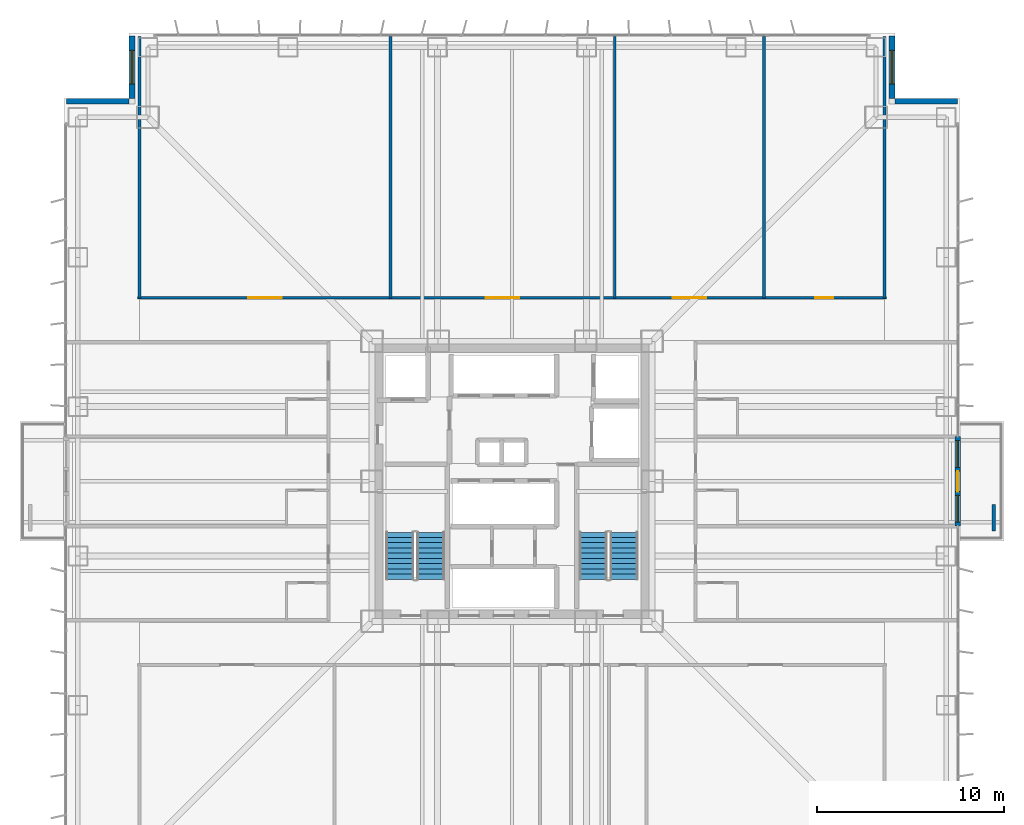
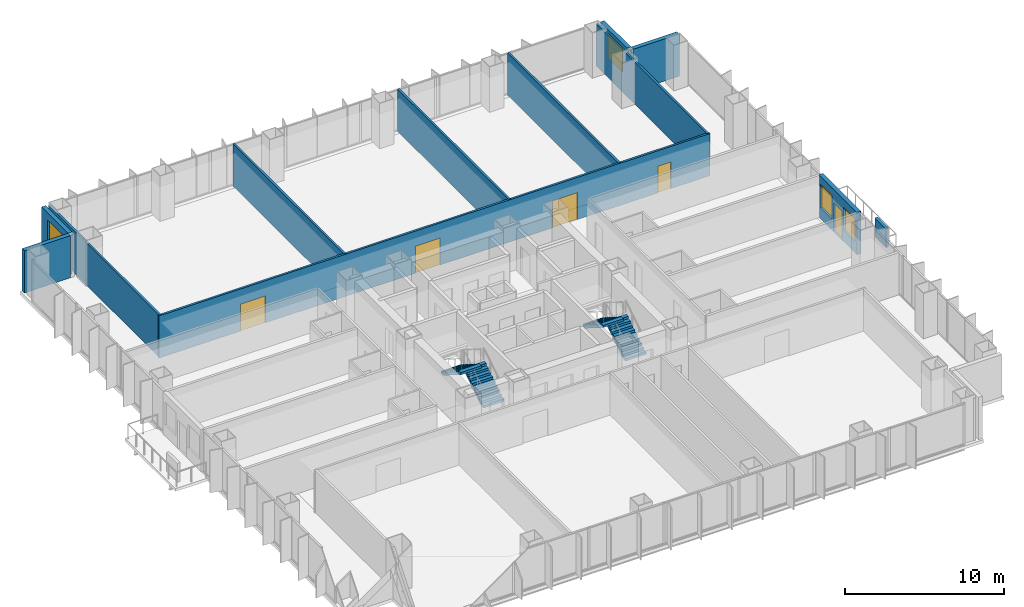
# One storey, part 13 of 16: 12 walls, 5 doors, 4 stair flights, 4 windows, 9 openings, 2 elements without a shape of their own.
"""IFC4 building model written with IfcOpenShell, lengths in metres."""

from ifc_helpers import new_model, si_unit, direction, frame, frame_2d, origin, place, context, subcontext, project, spatial, polyline, rectangle, outline, extrude, material, layer, layer_set, type_object, element, fill, aggregate, save


model = new_model("IFC4")

# Units and contexts
model_context = context("Model", 3, precision=1e-05, world=origin(), true_north=direction((0.0, 1.0)))
body_context = subcontext(model_context, "Body", "Model", "MODEL_VIEW")
ifc_project = project(units=[si_unit("LENGTHUNIT", "METRE"), si_unit("AREAUNIT", "SQUARE_METRE"), si_unit("VOLUMEUNIT", "CUBIC_METRE"), si_unit("PLANEANGLEUNIT", "RADIAN"), si_unit("MASSUNIT", "GRAM", prefix="KILO")], contexts=[model_context])

# Site, building, storey
site_placement = place(None, origin())
site = spatial("IfcSite", under=ifc_project, at=site_placement, CompositionType="ELEMENT")
building_placement = place(site_placement, origin())
building = spatial("IfcBuilding", under=site, at=building_placement, Name="Trevonay Congress Spire", CompositionType="ELEMENT")
storey_placement = place(building_placement, frame((0.0, 0.0, 48.0)))
storey = spatial("IfcBuildingStorey", under=building, at=storey_placement, Name="L11", CompositionType="ELEMENT", Elevation=48.0)

# Wall, openings, doors
ifc_material_1 = material(Name="Concrete C40/50", Category="concrete")
ifc_layer_1 = layer(ifc_material_1, 0.14990234375, Name="Concrete C40/50")
ifc_layer_set_1 = layer_set([ifc_layer_1], Name="Concrete C40/50")
wall_type_1 = type_object("IfcWallType", Name="WAL-CORR-150", PredefinedType="PARTITIONING", material=ifc_layer_set_1)
wall_1_placement = place(storey_placement, frame((-20.070068359375, 9.830078125, 0.0), z_axis=(0.0, 0.0, 1.0), x_axis=(1.0, 0.0, 0.0)))
wall_1 = element("IfcWall", 1, at=wall_1_placement, inside=storey, type_object=wall_type_1, Name="L11 interior wall WP-L11N-COR", PredefinedType="PARTITIONING", context=body_context, shape_type="SweptSolid", body=[
    extrude(rectangle(XDim=40.14013671875, YDim=0.14990234375, at=frame_2d((20.070068359375, 0.0))), origin(), (0.0, 0.0, 1.0), 3.25),
])
opening_1_placement = place(wall_1_placement, frame((5.945068359375, 0.0, 0.0)))
opening_1 = element("IfcOpeningElement", 2, at=opening_1_placement, cuts=wall_1, Name="Opening D09", PredefinedType="OPENING", context=body_context, shape_type="SweptSolid", body=[
    extrude(rectangle(XDim=1.800048828125, YDim=2.080078125, at=frame_2d((0.89990234375, 1.0400390625))), frame((0.0, 0.0849609375, 0.0), z_axis=(0.0, -1.0, 0.0), x_axis=(1.0, 0.0, 0.0)), (0.0, 0.0, 1.0), 0.169921875),
])
opening_2_placement = place(wall_1_placement, frame((18.669921875, 0.0, 0.0)))
opening_2 = element("IfcOpeningElement", 3, at=opening_2_placement, cuts=wall_1, Name="Opening D09", PredefinedType="OPENING", context=body_context, shape_type="SweptSolid", body=[
    extrude(rectangle(XDim=1.800048828125, YDim=2.080078125, at=frame_2d((0.89990234375, 1.0400390625))), frame((0.0, 0.0849609375, 0.0), z_axis=(0.0, -1.0, 0.0), x_axis=(1.0, 0.0, 0.0)), (0.0, 0.0, 1.0), 0.169921875),
])
opening_3_placement = place(wall_1_placement, frame((28.669921875, 0.0, 0.0)))
opening_3 = element("IfcOpeningElement", 4, at=opening_3_placement, cuts=wall_1, Name="Opening D09", PredefinedType="OPENING", context=body_context, shape_type="SweptSolid", body=[
    extrude(rectangle(XDim=1.800048828125, YDim=2.080078125, at=frame_2d((0.89990234375, 1.0400390625))), frame((0.0, 0.0849609375, 0.0), z_axis=(0.0, -1.0, 0.0), x_axis=(1.0, 0.0, 0.0)), (0.0, 0.0, 1.0), 0.169921875),
])
opening_4_placement = place(wall_1_placement, frame((36.320068359375, 0.0, 0.0)))
opening_4 = element("IfcOpeningElement", 5, at=opening_4_placement, cuts=wall_1, Name="Opening D07", PredefinedType="OPENING", context=body_context, shape_type="SweptSolid", body=[
    extrude(rectangle(XDim=0.949951171875, YDim=2.06005859375, at=frame_2d((0.47509765625, 1.030029296875))), frame((0.0, 0.0849609375, 0.0), z_axis=(0.0, -1.0, 0.0), x_axis=(1.0, 0.0, 0.0)), (0.0, 0.0, 1.0), 0.169921875),
])
ifc_material_2 = material(Name="Pale Anodised Aluminium EN AW-6063-T6", Category="aluminium")
door_type_1 = type_object("IfcDoorType", Name="DOR-CONF-DBL", OperationType="DOUBLE_DOOR_SINGLE_SWING", PredefinedType="DOOR", material=ifc_material_2)
door_1_placement = place(opening_1_placement, origin())
door_1 = element("IfcDoor", 6, at=door_1_placement, inside=storey, type_object=door_type_1, Name="L11 Hotel Wellness Fitness Gym Door", OperationType="DOUBLE_DOOR_SINGLE_SWING", OverallHeight=2.080078125, OverallWidth=1.800048828125, PredefinedType="DOOR", context=body_context, shape_type="SweptSolid", body=[
    extrude(rectangle(XDim=1.800048828125, YDim=2.080078125, at=frame_2d((0.89990234375, 1.0400390625))), frame((0.0, 0.02490234375, 0.0), z_axis=(0.0, -1.0, 0.0), x_axis=(1.0, 0.0, 0.0)), (0.0, 0.0, 1.0), 0.050048828125),
])
fill(opening_1, door_1)
door_2_placement = place(opening_2_placement, origin())
door_2 = element("IfcDoor", 7, at=door_2_placement, inside=storey, type_object=door_type_1, Name="L11 Garden Terrace Brasserie Dining Door", OperationType="DOUBLE_DOOR_SINGLE_SWING", OverallHeight=2.080078125, OverallWidth=1.800048828125, PredefinedType="DOOR", context=body_context, shape_type="SweptSolid", body=[
    extrude(rectangle(XDim=1.800048828125, YDim=2.080078125, at=frame_2d((0.89990234375, 1.0400390625))), frame((0.0, 0.02490234375, 0.0), z_axis=(0.0, -1.0, 0.0), x_axis=(1.0, 0.0, 0.0)), (0.0, 0.0, 1.0), 0.050048828125),
])
fill(opening_2, door_2)
door_3_placement = place(opening_3_placement, origin())
door_3 = element("IfcDoor", 8, at=door_3_placement, inside=storey, type_object=door_type_1, Name="L11 Brasserie Show Kitchen Door", OperationType="DOUBLE_DOOR_SINGLE_SWING", OverallHeight=2.080078125, OverallWidth=1.800048828125, PredefinedType="DOOR", context=body_context, shape_type="SweptSolid", body=[
    extrude(rectangle(XDim=1.800048828125, YDim=2.080078125, at=frame_2d((0.89990234375, 1.0400390625))), frame((0.0, 0.02490234375, 0.0), z_axis=(0.0, -1.0, 0.0), x_axis=(1.0, 0.0, 0.0)), (0.0, 0.0, 1.0), 0.050048828125),
])
fill(opening_3, door_3)
door_type_2 = type_object("IfcDoorType", Name="DOR-OFFICE-95", OperationType="NOTDEFINED", PredefinedType="DOOR", material=ifc_material_2)
door_4_placement = place(opening_4_placement, origin())
door_4 = element("IfcDoor", 9, at=door_4_placement, inside=storey, type_object=door_type_2, Name="L11 Housekeeping and Linen Room Door", OperationType="SINGLE_SWING_RIGHT", OverallHeight=2.06005859375, OverallWidth=0.949951171875, PredefinedType="DOOR", context=body_context, shape_type="SweptSolid", body=[
    extrude(rectangle(XDim=0.949951171875, YDim=2.06005859375, at=frame_2d((0.47509765625, 1.030029296875))), frame((0.0, 0.02490234375, 0.0), z_axis=(0.0, -1.0, 0.0), x_axis=(1.0, 0.0, 0.0)), (0.0, 0.0, 1.0), 0.050048828125),
])
fill(opening_4, door_4)

# Wall, openings, door, windows
ifc_material_3 = material(Name="Precast concrete C40/50", Category="concrete")
ifc_layer_2 = layer(ifc_material_3, 0.300048828125, Name="Precast concrete C40/50")
ifc_layer_set_2 = layer_set([ifc_layer_2], Name="Precast concrete C40/50")
wall_type_2 = type_object("IfcWallType", Name="WAL-EXT-PRECAST-300", PredefinedType="SOLIDWALL", material=ifc_layer_set_2)
wall_2_placement = place(storey_placement, frame((23.8798828125, -2.39990234375, 0.0), z_axis=(0.0, 0.0, 1.0), x_axis=(0.0, 1.0, 0.0)))
wall_2 = element("IfcWall", 10, at=wall_2_placement, inside=storey, type_object=wall_type_2, Name="L11 E glazed balcony portal exterior wall", PredefinedType="SOLIDWALL", context=body_context, shape_type="SweptSolid", body=[
    extrude(rectangle(XDim=4.7998046875, YDim=0.300048828125, at=frame_2d((2.39990234375, 0.0))), origin(), (0.0, 0.0, 1.0), 3.25),
])
opening_5_placement = place(wall_2_placement, frame((1.85009765625, 0.0, 0.0)))
opening_5 = element("IfcOpeningElement", 11, at=opening_5_placement, cuts=wall_2, Name="Opening D03", PredefinedType="OPENING", context=body_context, shape_type="SweptSolid", body=[
    extrude(rectangle(XDim=1.10009765625, YDim=2.199951171875, at=frame_2d((0.550048828125, 1.10009765625))), frame((0.0, 0.16015625, 0.0), z_axis=(0.0, -1.0, 0.0), x_axis=(1.0, 0.0, 0.0)), (0.0, 0.0, 1.0), 0.320068359375),
])
opening_6_placement = place(wall_2_placement, frame((0.219970703125, 0.0, 0.85009765625)))
opening_6 = element("IfcOpeningElement", 12, at=opening_6_placement, cuts=wall_2, Name="Opening WN06", PredefinedType="OPENING", context=body_context, shape_type="SweptSolid", body=[
    extrude(rectangle(XDim=1.429931640625, YDim=1.800048828125, at=frame_2d((0.71484375, 0.89990234375))), frame((0.0, 0.16015625, 0.0), z_axis=(0.0, -1.0, 0.0), x_axis=(1.0, 0.0, 0.0)), (0.0, 0.0, 1.0), 0.320068359375),
])
opening_7_placement = place(wall_2_placement, frame((3.14990234375, 0.0, 0.85009765625)))
opening_7 = element("IfcOpeningElement", 13, at=opening_7_placement, cuts=wall_2, Name="Opening WN06", PredefinedType="OPENING", context=body_context, shape_type="SweptSolid", body=[
    extrude(rectangle(XDim=1.429931640625, YDim=1.800048828125, at=frame_2d((0.71484375, 0.89990234375))), frame((0.0, 0.16015625, 0.0), z_axis=(0.0, -1.0, 0.0), x_axis=(1.0, 0.0, 0.0)), (0.0, 0.0, 1.0), 0.320068359375),
])
door_type_3 = type_object("IfcDoorType", Name="DOR-EXT-BAL-110", OperationType="NOTDEFINED", PredefinedType="DOOR", material=ifc_material_2)
door_5_placement = place(opening_5_placement, origin())
door_5 = element("IfcDoor", 14, at=door_5_placement, inside=storey, type_object=door_type_3, Name="L11 E glazed outdoor terrace and balcony door", OperationType="SINGLE_SWING_RIGHT", OverallHeight=2.199951171875, OverallWidth=1.10009765625, PredefinedType="DOOR", context=body_context, shape_type="SweptSolid", body=[
    extrude(rectangle(XDim=1.10009765625, YDim=2.199951171875, at=frame_2d((0.550048828125, 1.10009765625))), frame((0.0, 0.02490234375, 0.0), z_axis=(0.0, -1.0, 0.0), x_axis=(1.0, 0.0, 0.0)), (0.0, 0.0, 1.0), 0.050048828125),
])
fill(opening_5, door_5)
ifc_material_4 = material(Name="Insulated Low-E Vision Glass IGU", Category="glass")
window_type_1 = type_object("IfcWindowType", Name="WIN-SIDELIGHT-143X180", PartitioningType="SINGLE_PANEL", PredefinedType="WINDOW", material=ifc_material_4)
window_1_placement = place(opening_6_placement, origin())
window_1 = element("IfcWindow", 15, at=window_1_placement, inside=storey, type_object=window_type_1, Name="L11 E balcony sidelight window L", OverallHeight=1.800048828125, OverallWidth=1.429931640625, PartitioningType="SINGLE_PANEL", PredefinedType="WINDOW", context=body_context, shape_type="SweptSolid", body=[
    extrude(rectangle(XDim=1.429931640625, YDim=1.800048828125, at=frame_2d((0.71484375, 0.89990234375))), frame((0.0, 0.030029296875, 0.0), z_axis=(0.0, -1.0, 0.0), x_axis=(1.0, 0.0, 0.0)), (0.0, 0.0, 1.0), 0.06005859375),
])
fill(opening_6, window_1)
window_2_placement = place(opening_7_placement, origin())
window_2 = element("IfcWindow", 16, at=window_2_placement, inside=storey, type_object=window_type_1, Name="L11 E balcony sidelight window R", OverallHeight=1.800048828125, OverallWidth=1.429931640625, PartitioningType="SINGLE_PANEL", PredefinedType="WINDOW", context=body_context, shape_type="SweptSolid", body=[
    extrude(rectangle(XDim=1.429931640625, YDim=1.800048828125, at=frame_2d((0.71484375, 0.89990234375))), frame((0.0, 0.030029296875, 0.0), z_axis=(0.0, -1.0, 0.0), x_axis=(1.0, 0.0, 0.0)), (0.0, 0.0, 1.0), 0.06005859375),
])
fill(opening_7, window_2)

# Wall, opening, window
wall_3_placement = place(storey_placement, frame((20.35009765625, 23.85009765625, 0.0), z_axis=(0.0, 0.0, 1.0), x_axis=(0.0, -1.0, 0.0)))
wall_3 = element("IfcWall", 17, at=wall_3_placement, inside=storey, type_object=wall_type_2, Name="L11 NE re-entrant notch exterior wall 1", PredefinedType="SOLIDWALL", context=body_context, shape_type="SweptSolid", body=[
    extrude(rectangle(XDim=3.35009765625, YDim=0.300048828125, at=frame_2d((1.675048828125, 0.0))), origin(), (0.0, 0.0, 1.0), 3.25),
])
opening_8_placement = place(wall_3_placement, frame((0.77490234375, 0.0, 0.89990234375)))
opening_8 = element("IfcOpeningElement", 18, at=opening_8_placement, cuts=wall_3, Name="Opening WN01", PredefinedType="OPENING", context=body_context, shape_type="SweptSolid", body=[
    extrude(rectangle(XDim=1.800048828125, YDim=1.800048828125, at=frame_2d((0.89990234375, 0.89990234375))), frame((0.0, 0.16015625, 0.0), z_axis=(0.0, -1.0, 0.0), x_axis=(1.0, 0.0, 0.0)), (0.0, 0.0, 1.0), 0.320068359375),
])
window_type_2 = type_object("IfcWindowType", Name="WIN-HOTEL-180X180", PartitioningType="SINGLE_PANEL", PredefinedType="WINDOW", material=ifc_material_4)
window_3_placement = place(opening_8_placement, origin())
window_3 = element("IfcWindow", 19, at=window_3_placement, inside=storey, type_object=window_type_2, Name="L11 NE corner notch window", OverallHeight=1.800048828125, OverallWidth=1.800048828125, PartitioningType="SINGLE_PANEL", PredefinedType="WINDOW", context=body_context, shape_type="SweptSolid", body=[
    extrude(rectangle(XDim=1.800048828125, YDim=1.800048828125, at=frame_2d((0.89990234375, 0.89990234375))), frame((0.0, 0.030029296875, 0.0), z_axis=(0.0, -1.0, 0.0), x_axis=(1.0, 0.0, 0.0)), (0.0, 0.0, 1.0), 0.06005859375),
])
fill(opening_8, window_3)

# Wall
wall_4_placement = place(storey_placement, frame((23.85009765625, 20.35009765625, 0.0), z_axis=(0.0, 0.0, 1.0), x_axis=(-1.0, 0.0, 0.0)))
element("IfcWall", 20, at=wall_4_placement, inside=storey, type_object=wall_type_2, Name="L11 NE re-entrant notch exterior wall 2", PredefinedType="SOLIDWALL", context=body_context, shape_type="SweptSolid", body=[
    extrude(rectangle(XDim=3.35009765625, YDim=0.300048828125, at=frame_2d((1.675048828125, 0.0))), origin(), (0.0, 0.0, 1.0), 3.25),
])

# Wall, opening, window
wall_5_placement = place(storey_placement, frame((-20.35009765625, 23.85009765625, 0.0), z_axis=(0.0, 0.0, 1.0), x_axis=(0.0, -1.0, 0.0)))
wall_5 = element("IfcWall", 21, at=wall_5_placement, inside=storey, type_object=wall_type_2, Name="L11 NW re-entrant notch exterior wall 1", PredefinedType="SOLIDWALL", context=body_context, shape_type="SweptSolid", body=[
    extrude(rectangle(XDim=3.35009765625, YDim=0.300048828125, at=frame_2d((1.675048828125, 0.0))), origin(), (0.0, 0.0, 1.0), 3.25),
])
opening_9_placement = place(wall_5_placement, frame((0.77490234375, 0.0, 0.89990234375)))
opening_9 = element("IfcOpeningElement", 22, at=opening_9_placement, cuts=wall_5, Name="Opening WN01", PredefinedType="OPENING", context=body_context, shape_type="SweptSolid", body=[
    extrude(rectangle(XDim=1.800048828125, YDim=1.800048828125, at=frame_2d((0.89990234375, 0.89990234375))), frame((0.0, 0.16015625, 0.0), z_axis=(0.0, -1.0, 0.0), x_axis=(1.0, 0.0, 0.0)), (0.0, 0.0, 1.0), 0.320068359375),
])
window_4_placement = place(opening_9_placement, origin())
window_4 = element("IfcWindow", 23, at=window_4_placement, inside=storey, type_object=window_type_2, Name="L11 NW corner notch window", OverallHeight=1.800048828125, OverallWidth=1.800048828125, PartitioningType="SINGLE_PANEL", PredefinedType="WINDOW", context=body_context, shape_type="SweptSolid", body=[
    extrude(rectangle(XDim=1.800048828125, YDim=1.800048828125, at=frame_2d((0.89990234375, 0.89990234375))), frame((0.0, 0.030029296875, 0.0), z_axis=(0.0, -1.0, 0.0), x_axis=(1.0, 0.0, 0.0)), (0.0, 0.0, 1.0), 0.06005859375),
])
fill(opening_9, window_4)

# Walls
wall_6_placement = place(storey_placement, frame((-23.85009765625, 20.35009765625, 0.0), z_axis=(0.0, 0.0, 1.0), x_axis=(1.0, 0.0, 0.0)))
element("IfcWall", 24, at=wall_6_placement, inside=storey, type_object=wall_type_2, Name="L11 NW re-entrant notch exterior wall 2", PredefinedType="SOLIDWALL", context=body_context, shape_type="SweptSolid", body=[
    extrude(rectangle(XDim=3.35009765625, YDim=0.300048828125, at=frame_2d((1.675048828125, 0.0))), origin(), (0.0, 0.0, 1.0), 3.25),
])
ifc_layer_3 = layer(ifc_material_1, 0.14990234375, Name="Concrete C40/50")
ifc_layer_set_3 = layer_set([ifc_layer_3], Name="Concrete C40/50")
wall_type_3 = type_object("IfcWallType", Name="WAL-PART-150", PredefinedType="PARTITIONING", material=ifc_layer_set_3)
for number, where, z_axis, x_axis, name in (
    (25, (-19.949951171875, 9.830078125, 0.0), (0.0, 0.0, 1.0), (0.0, 1.0, 0.0), "L11 interior wall WP-L11N-DIV1"),
    (26, (-6.5, 9.830078125, 0.0), (0.0, 0.0, 1.0), (0.0, 1.0, 0.0), "L11 interior wall WP-L11N-DIV2"),
    (27, (5.5, 9.830078125, 0.0), (0.0, 0.0, 1.0), (0.0, 1.0, 0.0), "L11 interior wall WP-L11N-DIV3"),
    (28, (13.5, 9.830078125, 0.0), (0.0, 0.0, 1.0), (0.0, 1.0, 0.0), "L11 interior wall WP-L11N-DIV4"),
    (29, (19.949951171875, 9.830078125, 0.0), (0.0, 0.0, 1.0), (0.0, 1.0, 0.0), "L11 interior wall WP-L11N-DIV5"),
):
    element("IfcWall", number, at=place(storey_placement, frame(where, z_axis=z_axis, x_axis=x_axis)), inside=storey, type_object=wall_type_3, Name=name, PredefinedType="PARTITIONING", context=body_context, shape_type="SweptSolid", body=[
        extrude(rectangle(XDim=13.989990234375, YDim=0.14990234375, at=frame_2d((6.9951171875, 0.0))), origin(), (0.0, 0.0, 1.0), 3.25),
    ])
ifc_layer_4 = layer(ifc_material_3, 0.199951171875, Name="Precast concrete C40/50")
ifc_layer_set_4 = layer_set([ifc_layer_4], Name="Precast concrete C40/50")
wall_type_4 = type_object("IfcWallType", Name="WAL-TREE-PLANTER-200", PredefinedType="PARAPET", material=ifc_layer_set_4)
wall_7_placement = place(storey_placement, frame((25.800048828125, -2.64990234375, 0.0), z_axis=(0.0, 0.0, 1.0), x_axis=(0.0, 1.0, 0.0)))
element("IfcWall", 30, at=wall_7_placement, inside=storey, type_object=wall_type_4, Name="L11 E cantilevered balcony tree planter box", PredefinedType="PARAPET", context=body_context, shape_type="SweptSolid", body=[
    extrude(rectangle(XDim=1.39990234375, YDim=0.199951171875, at=frame_2d((0.699951171875, 0.0))), origin(), (0.0, 0.0, 1.0), 1.449951171875),
])

# Stair, stair flights
stair_type_1 = type_object("IfcStairType", Name="STR-ST-1", PredefinedType="HALF_TURN_STAIR", material=ifc_material_1)
stair_1_placement = place(storey_placement, origin())
stair_1 = element("IfcStair", 31, at=stair_1_placement, inside=storey, type_object=stair_type_1, Name="L11 Protected Exit Stair ST-1", PredefinedType="HALF_TURN_STAIR")
stair_flight_type_1 = type_object("IfcStairFlightType", Name="SFL-ST-1", PredefinedType="STRAIGHT", material=ifc_material_1)
stair_flight_1_placement = place(storey_placement, frame((-4.35009765625, -5.25, 0.0), z_axis=(0.0, 0.0, 1.0), x_axis=(0.0, 1.0, 0.0)))
stair_flight_1 = element("IfcStairFlight", 32, at=stair_flight_1_placement, type_object=stair_flight_type_1, Name="ST-1 flight 1", NumberOfRisers=10, NumberOfTreads=9, PredefinedType="STRAIGHT", RiserHeight=0.175, TreadLength=0.28, context=body_context, shape_type="SweptSolid", body=[
    extrude(outline(polyline([(0.0, 0.0), (0.0, 0.175048828125), (0.280029296875, 0.175048828125), (0.280029296875, 0.35009765625), (0.56005859375, 0.35009765625), (0.56005859375, 0.52490234375), (0.840087890625, 0.52490234375), (0.840087890625, 0.699951171875), (1.1201171875, 0.699951171875), (1.1201171875, 0.875), (1.39990234375, 0.875), (1.39990234375, 1.050048828125), (1.679931640625, 1.050048828125), (1.679931640625, 1.22509765625), (1.9599609375, 1.22509765625), (1.9599609375, 1.39990234375), (2.239990234375, 1.39990234375), (2.239990234375, 1.574951171875), (2.52001953125, 1.574951171875), (2.52001953125, 1.75), (2.52001953125, 1.398193359375), (0.28271484375, 0.0), (0.0, 0.0)])), frame((0.0, 0.75, 0.0), z_axis=(0.0, -1.0, 0.0), x_axis=(1.0, 0.0, 0.0)), (0.0, 0.0, 1.0), 1.5),
])
stair_flight_2_placement = place(storey_placement, frame((-6.0, -2.72998046875, 1.75), z_axis=(0.0, 0.0, 1.0), x_axis=(0.0, -1.0, 0.0)))
stair_flight_2 = element("IfcStairFlight", 33, at=stair_flight_2_placement, type_object=stair_flight_type_1, Name="ST-1 flight 2", NumberOfRisers=10, NumberOfTreads=9, PredefinedType="STRAIGHT", RiserHeight=0.175, TreadLength=0.28, context=body_context, shape_type="SweptSolid", body=[
    extrude(outline(polyline([(0.0, 0.0), (0.0, 0.175048828125), (0.280029296875, 0.175048828125), (0.280029296875, 0.35009765625), (0.56005859375, 0.35009765625), (0.56005859375, 0.52490234375), (0.840087890625, 0.52490234375), (0.840087890625, 0.699951171875), (1.1201171875, 0.699951171875), (1.1201171875, 0.875), (1.39990234375, 0.875), (1.39990234375, 1.050048828125), (1.679931640625, 1.050048828125), (1.679931640625, 1.22509765625), (1.9599609375, 1.22509765625), (1.9599609375, 1.39990234375), (2.239990234375, 1.39990234375), (2.239990234375, 1.574951171875), (2.52001953125, 1.574951171875), (2.52001953125, 1.75), (2.52001953125, 1.398193359375), (0.28271484375, 0.0), (0.0, 0.0)])), frame((0.0, 0.75, 0.0), z_axis=(0.0, -1.0, 0.0), x_axis=(1.0, 0.0, 0.0)), (0.0, 0.0, 1.0), 1.5),
])
aggregate(stair_1, [stair_flight_1, stair_flight_2])

stair_type_2 = type_object("IfcStairType", Name="STR-ST-2", PredefinedType="HALF_TURN_STAIR", material=ifc_material_1)
stair_2_placement = place(storey_placement, origin())
stair_2 = element("IfcStair", 34, at=stair_2_placement, inside=storey, type_object=stair_type_2, Name="L11 Protected Exit Stair ST-2", PredefinedType="HALF_TURN_STAIR")
stair_flight_type_2 = type_object("IfcStairFlightType", Name="SFL-ST-2", PredefinedType="STRAIGHT", material=ifc_material_1)
stair_flight_3_placement = place(storey_placement, frame((6.0, -5.25, 0.0), z_axis=(0.0, 0.0, 1.0), x_axis=(0.0, 1.0, 0.0)))
stair_flight_3 = element("IfcStairFlight", 35, at=stair_flight_3_placement, type_object=stair_flight_type_2, Name="ST-2 flight 1", NumberOfRisers=10, NumberOfTreads=9, PredefinedType="STRAIGHT", RiserHeight=0.175, TreadLength=0.28, context=body_context, shape_type="SweptSolid", body=[
    extrude(outline(polyline([(0.0, 0.0), (0.0, 0.175048828125), (0.280029296875, 0.175048828125), (0.280029296875, 0.35009765625), (0.56005859375, 0.35009765625), (0.56005859375, 0.52490234375), (0.840087890625, 0.52490234375), (0.840087890625, 0.699951171875), (1.1201171875, 0.699951171875), (1.1201171875, 0.875), (1.39990234375, 0.875), (1.39990234375, 1.050048828125), (1.679931640625, 1.050048828125), (1.679931640625, 1.22509765625), (1.9599609375, 1.22509765625), (1.9599609375, 1.39990234375), (2.239990234375, 1.39990234375), (2.239990234375, 1.574951171875), (2.52001953125, 1.574951171875), (2.52001953125, 1.75), (2.52001953125, 1.398193359375), (0.28271484375, 0.0), (0.0, 0.0)])), frame((0.0, 0.75, 0.0), z_axis=(0.0, -1.0, 0.0), x_axis=(1.0, 0.0, 0.0)), (0.0, 0.0, 1.0), 1.5),
])
stair_flight_4_placement = place(storey_placement, frame((4.35009765625, -2.72998046875, 1.75), z_axis=(0.0, 0.0, 1.0), x_axis=(0.0, -1.0, 0.0)))
stair_flight_4 = element("IfcStairFlight", 36, at=stair_flight_4_placement, type_object=stair_flight_type_2, Name="ST-2 flight 2", NumberOfRisers=10, NumberOfTreads=9, PredefinedType="STRAIGHT", RiserHeight=0.175, TreadLength=0.28, context=body_context, shape_type="SweptSolid", body=[
    extrude(outline(polyline([(0.0, 0.0), (0.0, 0.175048828125), (0.280029296875, 0.175048828125), (0.280029296875, 0.35009765625), (0.56005859375, 0.35009765625), (0.56005859375, 0.52490234375), (0.840087890625, 0.52490234375), (0.840087890625, 0.699951171875), (1.1201171875, 0.699951171875), (1.1201171875, 0.875), (1.39990234375, 0.875), (1.39990234375, 1.050048828125), (1.679931640625, 1.050048828125), (1.679931640625, 1.22509765625), (1.9599609375, 1.22509765625), (1.9599609375, 1.39990234375), (2.239990234375, 1.39990234375), (2.239990234375, 1.574951171875), (2.52001953125, 1.574951171875), (2.52001953125, 1.75), (2.52001953125, 1.398193359375), (0.28271484375, 0.0), (0.0, 0.0)])), frame((0.0, 0.75, 0.0), z_axis=(0.0, -1.0, 0.0), x_axis=(1.0, 0.0, 0.0)), (0.0, 0.0, 1.0), 1.5),
])
aggregate(stair_2, [stair_flight_3, stair_flight_4])

save(model, "model.ifc")
